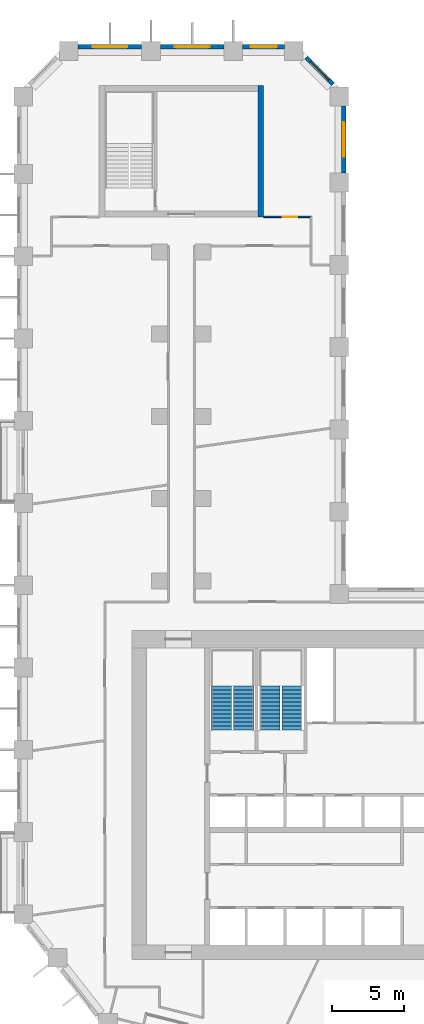
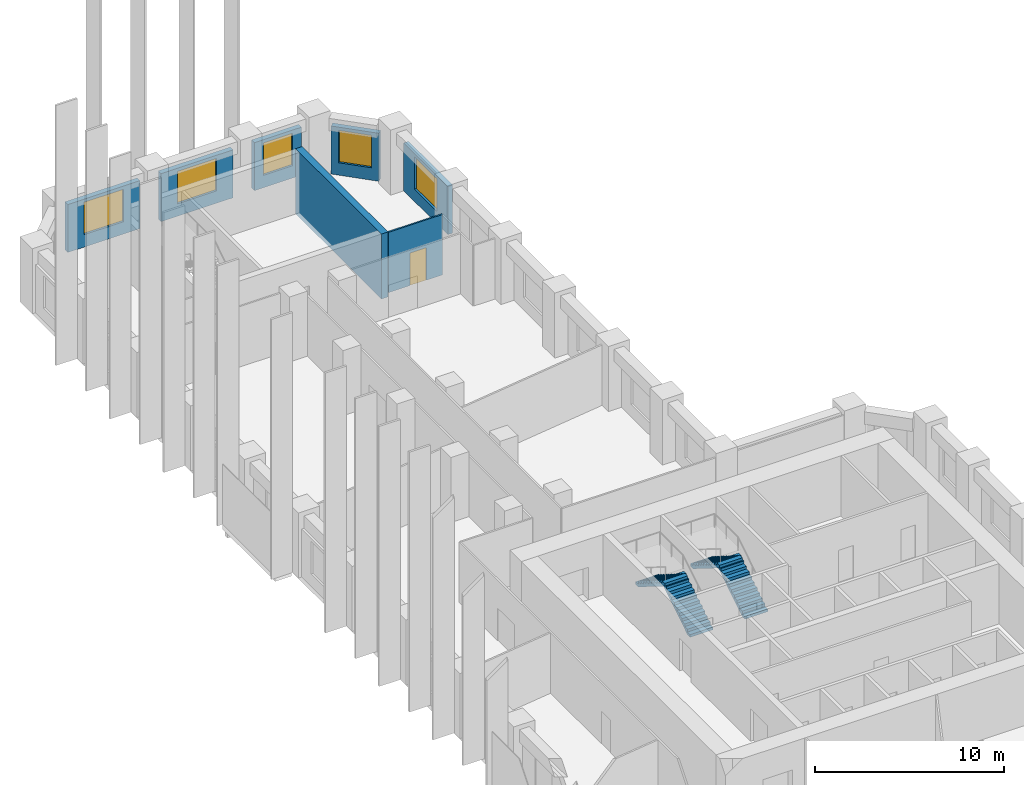
# One storey, part 9 of 11: 7 walls, 5 windows, 4 stair flights, 1 door, 6 openings, 2 elements without a shape of their own.
"""IFC4 building model written with IfcOpenShell, lengths in metres."""

from ifc_helpers import new_model, si_unit, direction, frame, frame_2d, origin, place, context, subcontext, project, spatial, polyline, rectangle, outline, extrude, material, layer, layer_set, type_object, element, fill, aggregate, save


model = new_model("IFC4")

# Units and contexts
model_context = context("Model", 3, precision=1e-05, world=origin(), true_north=direction((0.0, 1.0)))
body_context = subcontext(model_context, "Body", "Model", "MODEL_VIEW")
ifc_project = project(units=[si_unit("LENGTHUNIT", "METRE"), si_unit("AREAUNIT", "SQUARE_METRE"), si_unit("VOLUMEUNIT", "CUBIC_METRE"), si_unit("PLANEANGLEUNIT", "RADIAN"), si_unit("MASSUNIT", "GRAM", prefix="KILO")], contexts=[model_context])

# Site, building, storey
site_placement = place(None, origin())
site = spatial("IfcSite", under=ifc_project, at=site_placement, CompositionType="ELEMENT")
building_placement = place(site_placement, origin())
building = spatial("IfcBuilding", under=site, at=building_placement, Name="Meshkara Civic Tower", CompositionType="ELEMENT")
storey_placement = place(building_placement, frame((0.0, 0.0, 97.199951171875)))
storey = spatial("IfcBuildingStorey", under=building, at=storey_placement, Name="L21", CompositionType="ELEMENT", Elevation=97.199951171875)

# Wall, opening, door
ifc_material_1 = material(Name="Corridor wall 100")
ifc_layer_1 = layer(ifc_material_1, 0.10009765625)
ifc_layer_set_1 = layer_set([ifc_layer_1], Name="Corridor wall 100")
wall_type_1 = type_object("IfcWallType", Name="Corridor wall 100", PredefinedType="PARTITIONING", material=ifc_layer_set_1)
wall_1_placement = place(storey_placement, frame((20.39990234375, 65.570068359375, 0.0), z_axis=(0.0, 0.0, 1.0), x_axis=(-1.0, 0.0, 0.0)))
wall_1 = element("IfcWall", 1, at=wall_1_placement, inside=storey, type_object=wall_type_1, Name="L21-W017", PredefinedType="PARTITIONING", context=body_context, shape_type="SweptSolid", body=[
    extrude(rectangle(XDim=3.2998046875, YDim=0.10009765625, at=frame_2d((1.64990234375, 0.0))), origin(), (0.0, 0.0, 1.0), 3.900146484375),
])
opening_1_placement = place(wall_1_placement, frame((0.97998046875, 0.0, 0.0)))
opening_1 = element("IfcOpeningElement", 2, at=opening_1_placement, cuts=wall_1, Name="Opening L21-D026", PredefinedType="OPENING", context=body_context, shape_type="SweptSolid", body=[
    extrude(rectangle(XDim=1.0, YDim=2.10009765625, at=frame_2d((0.5, 1.050048828125))), frame((0.0, 0.06005859375, 0.0), z_axis=(0.0, -1.0, 0.0), x_axis=(1.0, 0.0, 0.0)), (0.0, 0.0, 1.0), 0.1201171875),
])
ifc_material_2 = material(Name="Door 1000 x 2100")
door_type = type_object("IfcDoorType", Name="Door 1000 x 2100", OperationType="SINGLE_SWING_LEFT", PredefinedType="DOOR", material=ifc_material_2)
door_placement = place(opening_1_placement, origin())
door = element("IfcDoor", 3, at=door_placement, inside=storey, type_object=door_type, Name="L21-D026", OperationType="SINGLE_SWING_RIGHT", OverallHeight=2.10009765625, OverallWidth=1.0, PredefinedType="DOOR", context=body_context, shape_type="SweptSolid", body=[
    extrude(rectangle(XDim=1.0, YDim=2.10009765625, at=frame_2d((0.5, 1.050048828125))), frame((0.0, 0.02490234375, 0.0), z_axis=(0.0, -1.0, 0.0), x_axis=(1.0, 0.0, 0.0)), (0.0, 0.0, 1.0), 0.050048828125),
])
fill(opening_1, door)

# Wall, opening, window
ifc_material_3 = material(Name="Insulated infill panel with bronze anodised aluminium cladding", Category="aluminium")
ifc_layer_2 = layer(ifc_material_3, 0.300048828125)
ifc_layer_set_2 = layer_set([ifc_layer_2], Name="EXTERNAL INFILL WALL 300")
wall_type_2 = type_object("IfcWallType", Name="EXTERNAL INFILL WALL 300", PredefinedType="SOLIDWALL", material=ifc_layer_set_2)
wall_2_placement = place(storey_placement, frame((22.64990234375, 68.60009765625, 0.0), z_axis=(0.0, 0.0, 1.0), x_axis=(0.0, 1.0, 0.0)))
wall_2 = element("IfcWall", 4, at=wall_2_placement, inside=storey, type_object=wall_type_2, Name="External wall", PredefinedType="SOLIDWALL", context=body_context, shape_type="SweptSolid", body=[
    extrude(rectangle(XDim=4.663818359375, YDim=0.300048828125, at=frame_2d((2.33203125, 0.0))), origin(), (0.0, 0.0, 1.0), 3.10009765625),
])
opening_2_placement = place(wall_2_placement, frame((1.132080078125, 0.0, 0.800048828125)))
opening_2 = element("IfcOpeningElement", 5, at=opening_2_placement, cuts=wall_2, Name="Opening W7", PredefinedType="OPENING", context=body_context, shape_type="SweptSolid", body=[
    extrude(rectangle(XDim=2.39990234375, YDim=2.10009765625, at=frame_2d((1.199951171875, 1.050048828125))), frame((0.0, 0.159912109375, 0.0), z_axis=(0.0, -1.0, 0.0), x_axis=(1.0, 0.0, 0.0)), (0.0, 0.0, 1.0), 0.320068359375),
])
ifc_material_4 = material(Name="Tinted double glazing", Category="glass")
window_type_1 = type_object("IfcWindowType", Name="WINDOW 2400x2100", PartitioningType="DOUBLE_PANEL_VERTICAL", PredefinedType="WINDOW", material=ifc_material_4)
window_1_placement = place(opening_2_placement, origin())
window_1 = element("IfcWindow", 6, at=window_1_placement, inside=storey, type_object=window_type_1, Name="Window", OverallHeight=2.10009765625, OverallWidth=2.39990234375, PartitioningType="DOUBLE_PANEL_VERTICAL", PredefinedType="WINDOW", context=body_context, shape_type="SweptSolid", body=[
    extrude(rectangle(XDim=2.39990234375, YDim=2.10009765625, at=frame_2d((1.199951171875, 1.050048828125))), frame((0.0, 0.030029296875, 0.0), z_axis=(0.0, -1.0, 0.0), x_axis=(1.0, 0.0, 0.0)), (0.0, 0.0, 1.0), 0.06005859375),
])
fill(opening_2, window_1)

wall_3_placement = place(storey_placement, frame((21.912109375, 74.77587890625, 0.0), z_axis=(0.0, 0.0, 1.0), x_axis=(-0.707106781187, 0.707106781187, 0.0)))
wall_3 = element("IfcWall", 7, at=wall_3_placement, inside=storey, type_object=wall_type_2, Name="External wall", PredefinedType="SOLIDWALL", context=body_context, shape_type="SweptSolid", body=[
    extrude(rectangle(XDim=2.625, YDim=0.300048828125, at=frame_2d((1.3125, 0.0))), origin(), (0.0, 0.0, 1.0), 3.10009765625),
])
opening_3_placement = place(wall_3_placement, frame((0.412109375, 0.0, 0.800048828125)))
opening_3 = element("IfcOpeningElement", 8, at=opening_3_placement, cuts=wall_3, Name="Opening W9", PredefinedType="OPENING", context=body_context, shape_type="SweptSolid", body=[
    extrude(rectangle(XDim=1.800048828125, YDim=2.10009765625, at=frame_2d((0.89990234375, 1.050048828125))), frame((0.0, 0.159912109375, 0.0), z_axis=(0.0, -1.0, 0.0), x_axis=(1.0, 0.0, 0.0)), (0.0, 0.0, 1.0), 0.320068359375),
])
ifc_material_5 = material(Name="Tinted double glazing", Category="glass")
window_type_2 = type_object("IfcWindowType", Name="WINDOW 1800x2100", PartitioningType="DOUBLE_PANEL_VERTICAL", PredefinedType="WINDOW", material=ifc_material_5)
window_2_placement = place(opening_3_placement, origin())
window_2 = element("IfcWindow", 9, at=window_2_placement, inside=storey, type_object=window_type_2, Name="Window", OverallHeight=2.10009765625, OverallWidth=1.800048828125, PartitioningType="DOUBLE_PANEL_VERTICAL", PredefinedType="WINDOW", context=body_context, shape_type="SweptSolid", body=[
    extrude(rectangle(XDim=1.800048828125, YDim=2.10009765625, at=frame_2d((0.89990234375, 1.050048828125))), frame((0.0, 0.030029296875, 0.0), z_axis=(0.0, -1.0, 0.0), x_axis=(1.0, 0.0, 0.0)), (0.0, 0.0, 1.0), 0.06005859375),
])
fill(opening_3, window_2)

wall_4_placement = place(storey_placement, frame((18.5439453125, 77.3701171875, 0.0), z_axis=(0.0, 0.0, 1.0), x_axis=(-1.0, 0.0, 0.0)))
wall_4 = element("IfcWall", 10, at=wall_4_placement, inside=storey, type_object=wall_type_2, Name="External wall", PredefinedType="SOLIDWALL", context=body_context, shape_type="SweptSolid", body=[
    extrude(rectangle(XDim=2.887939453125, YDim=0.300048828125, at=frame_2d((1.44384765625, 0.0))), origin(), (0.0, 0.0, 1.0), 3.10009765625),
])
opening_4_placement = place(wall_4_placement, frame((0.5439453125, 0.0, 0.800048828125)))
opening_4 = element("IfcOpeningElement", 11, at=opening_4_placement, cuts=wall_4, Name="Opening W9", PredefinedType="OPENING", context=body_context, shape_type="SweptSolid", body=[
    extrude(rectangle(XDim=1.800048828125, YDim=2.10009765625, at=frame_2d((0.89990234375, 1.050048828125))), frame((0.0, 0.159912109375, 0.0), z_axis=(0.0, -1.0, 0.0), x_axis=(1.0, 0.0, 0.0)), (0.0, 0.0, 1.0), 0.320068359375),
])
window_3_placement = place(opening_4_placement, origin())
window_3 = element("IfcWindow", 12, at=window_3_placement, inside=storey, type_object=window_type_2, Name="Window", OverallHeight=2.10009765625, OverallWidth=1.800048828125, PartitioningType="DOUBLE_PANEL_VERTICAL", PredefinedType="WINDOW", context=body_context, shape_type="SweptSolid", body=[
    extrude(rectangle(XDim=1.800048828125, YDim=2.10009765625, at=frame_2d((0.89990234375, 1.050048828125))), frame((0.0, 0.030029296875, 0.0), z_axis=(0.0, -1.0, 0.0), x_axis=(1.0, 0.0, 0.0)), (0.0, 0.0, 1.0), 0.06005859375),
])
fill(opening_4, window_3)

wall_5_placement = place(storey_placement, frame((14.35595703125, 77.3701171875, 0.0), z_axis=(0.0, 0.0, 1.0), x_axis=(-1.0, 0.0, 0.0)))
wall_5 = element("IfcWall", 13, at=wall_5_placement, inside=storey, type_object=wall_type_2, Name="External wall", PredefinedType="SOLIDWALL", context=body_context, shape_type="SweptSolid", body=[
    extrude(rectangle(XDim=4.39990234375, YDim=0.300048828125, at=frame_2d((2.199951171875, 0.0))), origin(), (0.0, 0.0, 1.0), 3.10009765625),
])
opening_5_placement = place(wall_5_placement, frame((1.0, 0.0, 0.800048828125)))
opening_5 = element("IfcOpeningElement", 14, at=opening_5_placement, cuts=wall_5, Name="Opening W7", PredefinedType="OPENING", context=body_context, shape_type="SweptSolid", body=[
    extrude(rectangle(XDim=2.39990234375, YDim=2.10009765625, at=frame_2d((1.199951171875, 1.050048828125))), frame((0.0, 0.159912109375, 0.0), z_axis=(0.0, -1.0, 0.0), x_axis=(1.0, 0.0, 0.0)), (0.0, 0.0, 1.0), 0.320068359375),
])
window_4_placement = place(opening_5_placement, origin())
window_4 = element("IfcWindow", 15, at=window_4_placement, inside=storey, type_object=window_type_1, Name="Window", OverallHeight=2.10009765625, OverallWidth=2.39990234375, PartitioningType="DOUBLE_PANEL_VERTICAL", PredefinedType="WINDOW", context=body_context, shape_type="SweptSolid", body=[
    extrude(rectangle(XDim=2.39990234375, YDim=2.10009765625, at=frame_2d((1.199951171875, 1.050048828125))), frame((0.0, 0.030029296875, 0.0), z_axis=(0.0, -1.0, 0.0), x_axis=(1.0, 0.0, 0.0)), (0.0, 0.0, 1.0), 0.06005859375),
])
fill(opening_5, window_4)

wall_6_placement = place(storey_placement, frame((8.656005859375, 77.3701171875, 0.0), z_axis=(0.0, 0.0, 1.0), x_axis=(-1.0, 0.0, 0.0)))
wall_6 = element("IfcWall", 16, at=wall_6_placement, inside=storey, type_object=wall_type_2, Name="External wall", PredefinedType="SOLIDWALL", context=body_context, shape_type="SweptSolid", body=[
    extrude(rectangle(XDim=4.39990234375, YDim=0.300048828125, at=frame_2d((2.199951171875, 0.0))), origin(), (0.0, 0.0, 1.0), 3.10009765625),
])
opening_6_placement = place(wall_6_placement, frame((1.0, 0.0, 0.800048828125)))
opening_6 = element("IfcOpeningElement", 17, at=opening_6_placement, cuts=wall_6, Name="Opening W7", PredefinedType="OPENING", context=body_context, shape_type="SweptSolid", body=[
    extrude(rectangle(XDim=2.39990234375, YDim=2.10009765625, at=frame_2d((1.199951171875, 1.050048828125))), frame((0.0, 0.159912109375, 0.0), z_axis=(0.0, -1.0, 0.0), x_axis=(1.0, 0.0, 0.0)), (0.0, 0.0, 1.0), 0.320068359375),
])
window_5_placement = place(opening_6_placement, origin())
window_5 = element("IfcWindow", 18, at=window_5_placement, inside=storey, type_object=window_type_1, Name="Window", OverallHeight=2.10009765625, OverallWidth=2.39990234375, PartitioningType="DOUBLE_PANEL_VERTICAL", PredefinedType="WINDOW", context=body_context, shape_type="SweptSolid", body=[
    extrude(rectangle(XDim=2.39990234375, YDim=2.10009765625, at=frame_2d((1.199951171875, 1.050048828125))), frame((0.0, 0.030029296875, 0.0), z_axis=(0.0, -1.0, 0.0), x_axis=(1.0, 0.0, 0.0)), (0.0, 0.0, 1.0), 0.06005859375),
])
fill(opening_6, window_5)

# Wall
ifc_material_6 = material(Name="Concrete C70", Category="concrete")
ifc_layer_3 = layer(ifc_material_6, 0.39990234375)
ifc_layer_set_3 = layer_set([ifc_layer_3], Name="End core ring wall 400 C70")
wall_type_3 = type_object("IfcWallType", Name="End core ring wall 400 C70", PredefinedType="SHEAR", material=ifc_layer_set_3)
wall_7_placement = place(storey_placement, frame((16.89990234375, 65.570068359375, -0.300048828125), z_axis=(0.0, 0.0, 1.0), x_axis=(0.0, 1.0, 0.0)))
element("IfcWall", 19, at=wall_7_placement, inside=storey, type_object=wall_type_3, Name="L21-C027", PredefinedType="SHEAR", context=body_context, shape_type="SweptSolid", body=[
    extrude(rectangle(XDim=9.099853515625, YDim=0.39990234375, at=frame_2d((4.5498046875, 0.0))), origin(), (0.0, 0.0, 1.0), 4.2001953125),
])

# Stair, stair flights
ifc_material_7 = material(Name="Precast concrete C40/50", Category="concrete")
stair_type = type_object("IfcStairType", Name="Exit stair half-turn 24 risers precast", PredefinedType="HALF_TURN_STAIR", material=ifc_material_7)
stair_1_placement = place(storey_placement, origin())
stair_1 = element("IfcStair", 20, at=stair_1_placement, inside=storey, type_object=stair_type, Name="L21 exit stair 1", PredefinedType="HALF_TURN_STAIR")
ifc_material_8 = material(Name="Precast concrete C40/50", Category="concrete")
stair_flight_type = type_object("IfcStairFlightType", Name="Exit stair flight 12 risers precast", PredefinedType="STRAIGHT", material=ifc_material_8)
stair_flight_1_placement = place(storey_placement, frame((15.72509765625, 30.0, 0.0), z_axis=(0.0, 0.0, 1.0), x_axis=(0.0, 1.0, 0.0)))
stair_flight_1 = element("IfcStairFlight", 21, at=stair_flight_1_placement, type_object=stair_flight_type, Name="ST1 flight 1", NumberOfRisers=12, NumberOfTreads=11, PredefinedType="STRAIGHT", RiserHeight=0.175, TreadLength=0.28, context=body_context, shape_type="SweptSolid", body=[
    extrude(outline(polyline([(0.0, 0.0), (0.0, 0.175048828125), (0.280029296875, 0.175048828125), (0.280029296875, 0.35009765625), (0.56005859375, 0.35009765625), (0.56005859375, 0.52490234375), (0.840087890625, 0.52490234375), (0.840087890625, 0.699951171875), (1.1201171875, 0.699951171875), (1.1201171875, 0.875), (1.39990234375, 0.875), (1.39990234375, 1.050048828125), (1.679931640625, 1.050048828125), (1.679931640625, 1.22509765625), (1.9599609375, 1.22509765625), (1.9599609375, 1.39990234375), (2.239990234375, 1.39990234375), (2.239990234375, 1.574951171875), (2.52001953125, 1.574951171875), (2.52001953125, 1.75), (2.800048828125, 1.75), (2.800048828125, 1.925048828125), (3.080078125, 1.925048828125), (3.080078125, 2.10009765625), (3.080078125, 1.748291015625), (0.28271484375, 0.0), (0.0, 0.0)])), frame((0.0, 0.699951171875, 0.0), z_axis=(0.0, -1.0, 0.0), x_axis=(1.0, 0.0, 0.0)), (0.0, 0.0, 1.0), 1.39990234375),
])
stair_flight_2_placement = place(storey_placement, frame((14.175048828125, 33.080078125, 2.10009765625), z_axis=(0.0, 0.0, 1.0), x_axis=(0.0, -1.0, 0.0)))
stair_flight_2 = element("IfcStairFlight", 22, at=stair_flight_2_placement, type_object=stair_flight_type, Name="ST1 flight 2", NumberOfRisers=12, NumberOfTreads=11, PredefinedType="STRAIGHT", RiserHeight=0.175, TreadLength=0.28, context=body_context, shape_type="SweptSolid", body=[
    extrude(outline(polyline([(0.0, 0.0), (0.0, 0.175048828125), (0.280029296875, 0.175048828125), (0.280029296875, 0.35009765625), (0.56005859375, 0.35009765625), (0.56005859375, 0.52490234375), (0.840087890625, 0.52490234375), (0.840087890625, 0.699951171875), (1.1201171875, 0.699951171875), (1.1201171875, 0.875), (1.39990234375, 0.875), (1.39990234375, 1.050048828125), (1.679931640625, 1.050048828125), (1.679931640625, 1.22509765625), (1.9599609375, 1.22509765625), (1.9599609375, 1.39990234375), (2.239990234375, 1.39990234375), (2.239990234375, 1.574951171875), (2.52001953125, 1.574951171875), (2.52001953125, 1.75), (2.800048828125, 1.75), (2.800048828125, 1.925048828125), (3.080078125, 1.925048828125), (3.080078125, 2.10009765625), (3.080078125, 1.748291015625), (0.28271484375, 0.0), (0.0, 0.0)])), frame((0.0, 0.699951171875, 0.0), z_axis=(0.0, -1.0, 0.0), x_axis=(1.0, 0.0, 0.0)), (0.0, 0.0, 1.0), 1.39990234375),
])
aggregate(stair_1, [stair_flight_1, stair_flight_2])

stair_2_placement = place(storey_placement, origin())
stair_2 = element("IfcStair", 23, at=stair_2_placement, inside=storey, type_object=stair_type, Name="L21 exit stair 2", PredefinedType="HALF_TURN_STAIR")
stair_flight_3_placement = place(storey_placement, frame((19.074951171875, 30.0, 0.0), z_axis=(0.0, 0.0, 1.0), x_axis=(0.0, 1.0, 0.0)))
stair_flight_3 = element("IfcStairFlight", 24, at=stair_flight_3_placement, type_object=stair_flight_type, Name="ST2 flight 1", NumberOfRisers=12, NumberOfTreads=11, PredefinedType="STRAIGHT", RiserHeight=0.175, TreadLength=0.28, context=body_context, shape_type="SweptSolid", body=[
    extrude(outline(polyline([(0.0, 0.0), (0.0, 0.175048828125), (0.280029296875, 0.175048828125), (0.280029296875, 0.35009765625), (0.56005859375, 0.35009765625), (0.56005859375, 0.52490234375), (0.840087890625, 0.52490234375), (0.840087890625, 0.699951171875), (1.1201171875, 0.699951171875), (1.1201171875, 0.875), (1.39990234375, 0.875), (1.39990234375, 1.050048828125), (1.679931640625, 1.050048828125), (1.679931640625, 1.22509765625), (1.9599609375, 1.22509765625), (1.9599609375, 1.39990234375), (2.239990234375, 1.39990234375), (2.239990234375, 1.574951171875), (2.52001953125, 1.574951171875), (2.52001953125, 1.75), (2.800048828125, 1.75), (2.800048828125, 1.925048828125), (3.080078125, 1.925048828125), (3.080078125, 2.10009765625), (3.080078125, 1.748291015625), (0.28271484375, 0.0), (0.0, 0.0)])), frame((0.0, 0.699951171875, 0.0), z_axis=(0.0, -1.0, 0.0), x_axis=(1.0, 0.0, 0.0)), (0.0, 0.0, 1.0), 1.39990234375),
])
stair_flight_4_placement = place(storey_placement, frame((17.52490234375, 33.080078125, 2.10009765625), z_axis=(0.0, 0.0, 1.0), x_axis=(0.0, -1.0, 0.0)))
stair_flight_4 = element("IfcStairFlight", 25, at=stair_flight_4_placement, type_object=stair_flight_type, Name="ST2 flight 2", NumberOfRisers=12, NumberOfTreads=11, PredefinedType="STRAIGHT", RiserHeight=0.175, TreadLength=0.28, context=body_context, shape_type="SweptSolid", body=[
    extrude(outline(polyline([(0.0, 0.0), (0.0, 0.175048828125), (0.280029296875, 0.175048828125), (0.280029296875, 0.35009765625), (0.56005859375, 0.35009765625), (0.56005859375, 0.52490234375), (0.840087890625, 0.52490234375), (0.840087890625, 0.699951171875), (1.1201171875, 0.699951171875), (1.1201171875, 0.875), (1.39990234375, 0.875), (1.39990234375, 1.050048828125), (1.679931640625, 1.050048828125), (1.679931640625, 1.22509765625), (1.9599609375, 1.22509765625), (1.9599609375, 1.39990234375), (2.239990234375, 1.39990234375), (2.239990234375, 1.574951171875), (2.52001953125, 1.574951171875), (2.52001953125, 1.75), (2.800048828125, 1.75), (2.800048828125, 1.925048828125), (3.080078125, 1.925048828125), (3.080078125, 2.10009765625), (3.080078125, 1.748291015625), (0.28271484375, 0.0), (0.0, 0.0)])), frame((0.0, 0.699951171875, 0.0), z_axis=(0.0, -1.0, 0.0), x_axis=(1.0, 0.0, 0.0)), (0.0, 0.0, 1.0), 1.39990234375),
])
aggregate(stair_2, [stair_flight_3, stair_flight_4])

save(model, "model.ifc")
